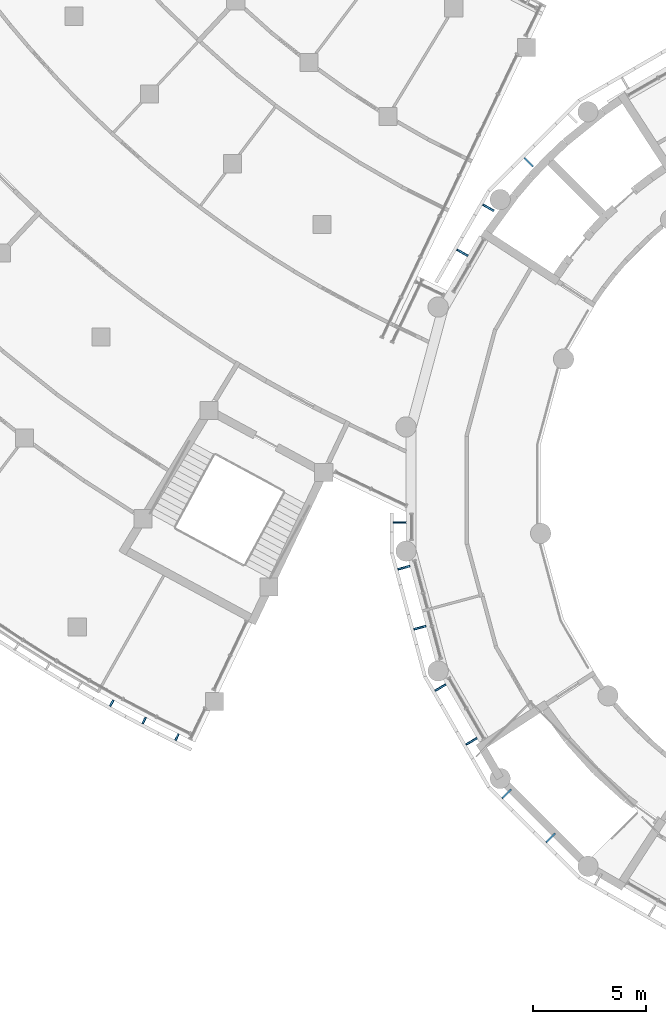
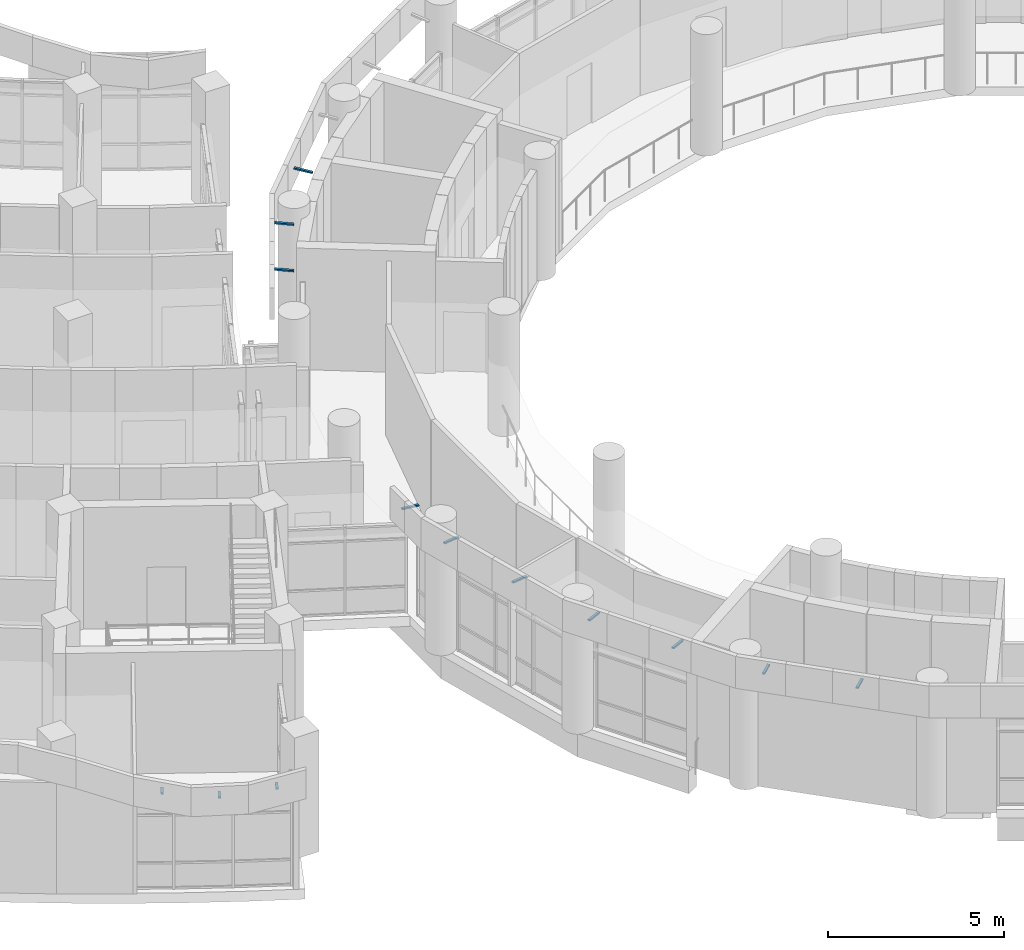
# One storey, part 82 of 109: 13 discrete accessories.
"""IFC4 building model written with IfcOpenShell, lengths in metres."""

import ifcopenshell
import ifcopenshell.guid

model = None  # the IFC model being written
_history = None  # IfcOwnerHistory: only IFC2X3 demands one
_inside = {}  # id of a spatial element -> (the spatial element, [elements in it])
_under = {}  # id of a project, library or spatial element -> (it, [spatial elements below it])
_declared = {}  # id of a project -> (the project, [libraries it declares])
_typed = {}  # id of a type object -> (the type object, [elements of that type])
_made_of = {}  # id of a material, layer set ... -> (it, [elements and type objects made of it])


def new_model(schema):
    """Start an empty IFC model of exactly this schema.

    Asked for "IFC4X3", IfcOpenShell would pick the latest addendum, in which some entities
    have other attributes; the version numbers below select the first issue.
    IFC2X3 requires an IfcOwnerHistory on every rooted entity: one is made here for all.
    """
    global model, _history
    if schema == "IFC4X3":
        model = ifcopenshell.file(schema_version=(4, 3, 0, 0))
    else:
        model = ifcopenshell.file(schema=schema)
    _inside.clear()
    _under.clear()
    _declared.clear()
    _typed.clear()
    _made_of.clear()
    _history = None
    if model.schema == "IFC2X3":
        org = make("IfcOrganization", Name="unknown")
        user = make(
            "IfcPersonAndOrganization",
            ThePerson=make("IfcPerson", FamilyName="unknown"),
            TheOrganization=org,
        )
        app = make(
            "IfcApplication",
            ApplicationDeveloper=org,
            Version="unknown",
            ApplicationFullName="unknown",
            ApplicationIdentifier="unknown",
        )
        _history = make(
            "IfcOwnerHistory",
            OwningUser=user,
            OwningApplication=app,
            ChangeAction="ADDED",
            CreationDate=0,
        )
    return model


def make(cls, **values):
    """One entity of the class cls with the attributes given. An attribute that is None is left unset."""
    return model.create_entity(
        cls, **{name: value for name, value in values.items() if value is not None}
    )


def rooted(cls, **values):
    """An entity with a GlobalId (a new one), such as an element, a storey or a relation."""
    return make(cls, GlobalId=ifcopenshell.guid.new(), OwnerHistory=_history, **values)


def si_unit(unit_type, name, prefix=None):
    """IfcSIUnit, for example si_unit("LENGTHUNIT", "METRE", prefix="MILLI")."""
    return make("IfcSIUnit", UnitType=unit_type, Prefix=prefix, Name=name)


def assignment(units):
    """IfcUnitAssignment: the units of a project."""
    return None if units is None else make("IfcUnitAssignment", Units=units)


def point(xyz):
    """IfcCartesianPoint."""
    return None if xyz is None else make("IfcCartesianPoint", Coordinates=xyz)


def direction(xyz):
    """IfcDirection."""
    return None if xyz is None else make("IfcDirection", DirectionRatios=xyz)


def frame(location, z_axis=None, x_axis=None):
    """IfcAxis2Placement3D, a coordinate frame: its origin and axes. An axis left out is left unset."""
    return make(
        "IfcAxis2Placement3D",
        Location=point(location),
        Axis=direction(z_axis),
        RefDirection=direction(x_axis),
    )


def frame_2d(location, x_axis=None):
    """IfcAxis2Placement2D, a coordinate frame in the plane: its origin and x axis."""
    return make(
        "IfcAxis2Placement2D", Location=point(location), RefDirection=direction(x_axis)
    )


def origin():
    """The frame at (0, 0, 0) with its axes left unset."""
    return frame((0.0, 0.0, 0.0))


def origin_2d():
    """The frame at (0, 0) in the plane with its x axis left unset."""
    return frame_2d((0.0, 0.0))


def place(relative_to, where):
    """IfcLocalPlacement: puts the frame where relative to a parent placement (None: the world)."""
    return make(
        "IfcLocalPlacement", PlacementRelTo=relative_to, RelativePlacement=where
    )


def context(
    kind, dimensions, precision=None, world=None, true_north=None, identifier=None
):
    """IfcGeometricRepresentationContext, for example the 3D "Model" context."""
    return make(
        "IfcGeometricRepresentationContext",
        ContextIdentifier=identifier,
        ContextType=kind,
        CoordinateSpaceDimension=dimensions,
        Precision=precision,
        WorldCoordinateSystem=world,
        TrueNorth=true_north,
    )


def subcontext(parent, identifier, kind, view, scale=None):
    """IfcGeometricRepresentationSubContext, for example "Body" below "Model"."""
    return make(
        "IfcGeometricRepresentationSubContext",
        ContextIdentifier=identifier,
        ContextType=kind,
        ParentContext=parent,
        TargetScale=scale,
        TargetView=view,
    )


def project(units=None, contexts=None):
    """IfcProject with its units and contexts."""
    return rooted(
        "IfcProject",
        Name="project",
        RepresentationContexts=contexts,
        UnitsInContext=assignment(units),
    )


def spatial(cls, under=None, at=None, **own):
    """A site, building, storey or space (cls), placed at a placement, below another one or the project."""
    s = rooted(cls, ObjectPlacement=at, **own)
    if under is not None:
        _under.setdefault(under.id(), (under, []))[1].append(s)
    return s


def profile(cls, at=None, kind="AREA", **sizes):
    """A parametric profile (cls). Its sizes go by their IFC names, for example OverallWidth=200.0."""
    return make(cls, ProfileType=kind, Position=at, **sizes)


def rectangle(**sizes):
    """IfcRectangleProfileDef."""
    return profile("IfcRectangleProfileDef", **sizes)


def extrude(swept, where, along, depth):
    """IfcExtrudedAreaSolid: the profile swept, set in the frame where, extruded along a direction by depth."""
    return make(
        "IfcExtrudedAreaSolid",
        SweptArea=swept,
        Position=where,
        ExtrudedDirection=direction(along),
        Depth=depth,
    )


def shape(context_of_items, identifier, shape_type, items):
    """IfcShapeRepresentation: the items that make up one representation, for example the "Body"."""
    return make(
        "IfcShapeRepresentation",
        ContextOfItems=context_of_items,
        RepresentationIdentifier=identifier,
        RepresentationType=shape_type,
        Items=items,
    )


def material(Name=None, Category=None):
    """IfcMaterial."""
    return make("IfcMaterial", Name=Name, Category=Category)


def material_profile(
    of_material, cross_section, Name=None, Category=None, Priority=None
):
    """IfcMaterialProfile: a cross section and its material."""
    return make(
        "IfcMaterialProfile",
        Name=Name,
        Material=of_material,
        Profile=cross_section,
        Priority=Priority,
        Category=Category,
    )


def profile_set(profiles, Name=None, composite=None):
    """IfcMaterialProfileSet."""
    return make(
        "IfcMaterialProfileSet",
        Name=Name,
        MaterialProfiles=profiles,
        CompositeProfile=composite,
    )


def made_of(thing, what):
    """Note that an element or type object is made of a material, layer set ...; save() writes the relation."""
    if what is not None:
        _made_of.setdefault(what.id(), (what, []))[1].append(thing)
    return thing


def type_object(cls, material=None, **own):
    """A type object (cls), such as IfcWallType, which elements share."""
    return made_of(rooted(cls, **own), material)


def element(
    cls,
    number,
    at=None,
    inside=None,
    cuts=None,
    type_object=None,
    material=None,
    context=None,
    identifier="Body",
    shape_type=None,
    held_by="IfcProductDefinitionShape",
    body=None,
    shapes=None,
    **own,
):
    """One element of the class cls, such as IfcWall. Its Tag is "e" and its number.

    at: its placement. inside: the storey or other place that contains it. cuts: it is an
    opening in that element (IfcRelVoidsElement). A single representation is given by context,
    identifier, shape_type and body (its items); several are given by shapes. held_by: the class
    of the entity that holds the representations. save() writes the other relations.
    """
    e = rooted(cls, Tag="e%d" % number, ObjectPlacement=at, **own)
    if body is not None:
        shapes = [shape(context, identifier, shape_type, body)]
    if shapes is not None:
        e.Representation = make(held_by, Representations=shapes)
    if inside is not None:
        _inside.setdefault(inside.id(), (inside, []))[1].append(e)
    if cuts is not None:
        rooted(
            "IfcRelVoidsElement", RelatingBuildingElement=cuts, RelatedOpeningElement=e
        )
    if type_object is not None:
        _typed.setdefault(type_object.id(), (type_object, []))[1].append(e)
    return made_of(e, material)


def aggregate(whole, parts):
    """IfcRelAggregates: a whole, such as a stair, and the parts it consists of."""
    return rooted("IfcRelAggregates", RelatingObject=whole, RelatedObjects=parts)


def save(model, path):
    """Write the relations noted so far, then the file.

    IfcRelAggregates (storeys below a building ...), IfcRelContainedInSpatialStructure (elements
    in a storey), IfcRelDefinesByType, IfcRelAssociatesMaterial and IfcRelDeclares: one each for
    every whole, place, type object, material and project.
    """
    for whole, parts in _under.values():
        aggregate(whole, parts)
    for where, things in _inside.values():
        rooted(
            "IfcRelContainedInSpatialStructure",
            RelatedElements=things,
            RelatingStructure=where,
        )
    for kind, things in _typed.values():
        rooted("IfcRelDefinesByType", RelatedObjects=things, RelatingType=kind)
    for what, things in _made_of.values():
        rooted("IfcRelAssociatesMaterial", RelatedObjects=things, RelatingMaterial=what)
    for by, libraries in _declared.values():
        rooted("IfcRelDeclares", RelatingContext=by, RelatedDefinitions=libraries)
    model.write(path)


model = new_model("IFC4")

# Units and contexts
model_context = context("Model", 3, precision=1e-05, world=origin(), true_north=direction((0.0, 1.0)))
body_context = subcontext(model_context, "Body", "Model", "MODEL_VIEW")
ifc_project = project(units=[si_unit("LENGTHUNIT", "METRE"), si_unit("AREAUNIT", "SQUARE_METRE"), si_unit("VOLUMEUNIT", "CUBIC_METRE"), si_unit("PLANEANGLEUNIT", "RADIAN"), si_unit("MASSUNIT", "GRAM", prefix="KILO")], contexts=[model_context])

# Site, building, storey
site_placement = place(None, origin())
site = spatial("IfcSite", under=ifc_project, at=site_placement, CompositionType="ELEMENT")
building_placement = place(site_placement, origin())
building = spatial("IfcBuilding", under=site, at=building_placement, Name="Bougainvillea Quay General Hospital", CompositionType="ELEMENT")
storey_placement = place(building_placement, frame((0.0, 0.0, 12.60009765625)))
storey = spatial("IfcBuildingStorey", under=building, at=storey_placement, Name="L02", CompositionType="ELEMENT", Elevation=12.60009765625)

# Discrete accessories
ifc_material = material(Name="Stainless steel bracket, grade 316", Category="steel")
ifc_material_profile = material_profile(ifc_material, rectangle(XDim=0.080078125, YDim=0.050048828125, at=origin_2d()))
ifc_profile_set = profile_set([ifc_material_profile], Name="Stainless steel bracket, grade 316")
discrete_accessory_type = type_object("IfcDiscreteAccessoryType", Name="Stainless steel stand-off bracket 80x50", PredefinedType="BRACKET", material=ifc_profile_set)
discrete_accessory_1_placement = place(storey_placement, frame((75.456298828125, 64.67529296875, 3.635009765625), z_axis=(-0.482043775673, -0.876147132812, 0.0), x_axis=(0.876147132812, -0.482043775673, 0.0)))
element("IfcDiscreteAccessory", 1, at=discrete_accessory_1_placement, inside=storey, type_object=discrete_accessory_type, Name="Fascia bracket a01 33", PredefinedType="BRACKET", context=body_context, shape_type="SweptSolid", body=[
    extrude(rectangle(XDim=0.080078125, YDim=0.050048828125, at=origin_2d()), origin(), (0.0, 0.0, 1.0), 0.2998046875),
])
for number, where, z_axis, x_axis, name in (
    (2, (76.887451171875, 63.909423828125, 3.46142578125), (-0.462121071218, -0.886816844414, 0.0), (0.886816844414, -0.462121071218, 0.0), "Fascia bracket a01 34"),
    (3, (78.335693359375, 63.177001953125, 3.710693359375), (-0.441018877805, -0.897497826972, 0.0), (0.897497826972, -0.441018877805, 0.0), "Fascia bracket a01 35"),
):
    element("IfcDiscreteAccessory", number, at=place(storey_placement, frame(where, z_axis=z_axis, x_axis=x_axis)), inside=storey, type_object=discrete_accessory_type, Name=name, PredefinedType="BRACKET", context=body_context, shape_type="SweptSolid", body=[
        extrude(rectangle(XDim=0.080078125, YDim=0.050048828125, at=origin_2d()), origin(), (0.0, 0.0, 1.0), 0.300048828125),
    ])
discrete_accessory_2_placement = place(storey_placement, frame((88.3798828125, 72.519775390625, 4.139892578125), z_axis=(-0.994086591779, 0.0, 0.108590276011), x_axis=(0.0, -1.0, 0.0)))
element("IfcDiscreteAccessory", 4, at=discrete_accessory_2_placement, inside=storey, type_object=discrete_accessory_type, Name="Fascia bracket e0 1", PredefinedType="BRACKET", context=body_context, shape_type="SweptSolid", body=[
    extrude(rectangle(XDim=0.080078125, YDim=0.050048828125, at=origin_2d()), origin(), (0.0, 0.0, 1.0), 0.552978515625),
])
for number, where, z_axis, x_axis, name in (
    (5, (88.557373046875, 70.59716796875, 4.139892578125), (-0.96022399879, -0.257265896735, 0.108554735157), (0.258795254151, -0.965932200741, 0.0), "Fascia bracket e0 3"),
    (6, (89.266845703125, 67.94970703125, 4.139892578125), (-0.96022399879, -0.257265896735, 0.108554735157), (0.258795254151, -0.965932200741, 0.0), "Fascia bracket e0 5"),
):
    element("IfcDiscreteAccessory", number, at=place(storey_placement, frame(where, z_axis=z_axis, x_axis=x_axis)), inside=storey, type_object=discrete_accessory_type, Name=name, PredefinedType="BRACKET", context=body_context, shape_type="SweptSolid", body=[
        extrude(rectangle(XDim=0.080078125, YDim=0.050048828125, at=origin_2d()), origin(), (0.0, 0.0, 1.0), 0.55322265625),
    ])
for number, where, z_axis, x_axis, name in (
    (7, (90.1416015625, 65.37060546875, 4.139892578125), (-0.860796598273, -0.497241294851, 0.108537141556), (0.500196256984, -0.865912065108, 0.0), "Fascia bracket e0 7"),
    (8, (91.51220703125, 62.99658203125, 4.139892578125), (-0.860796598273, -0.497241294851, 0.108537141556), (0.500196256984, -0.865912065108, 0.0), "Fascia bracket e0 9"),
):
    element("IfcDiscreteAccessory", number, at=place(storey_placement, frame(where, z_axis=z_axis, x_axis=x_axis)), inside=storey, type_object=discrete_accessory_type, Name=name, PredefinedType="BRACKET", context=body_context, shape_type="SweptSolid", body=[
        extrude(rectangle(XDim=0.080078125, YDim=0.050048828125, at=origin_2d()), origin(), (0.0, 0.0, 1.0), 0.553466796875),
    ])
for number, where, z_axis, x_axis, name in (
    (9, (93.0244140625, 60.7314453125, 4.139892578125), (-0.702928468265, -0.702928468265, 0.108550158941), (0.707106781187, -0.707106781187, 0.0), "Fascia bracket e0 11"),
    (10, (94.96240234375, 58.79345703125, 4.139892578125), (-0.702928468265, -0.702928468265, 0.108550158941), (0.707106781187, -0.707106781187, 0.0), "Fascia bracket e0 13"),
    (11, (93.993408203125, 88.237548828125, 4.139892578125), (-0.702928468265, 0.702928468265, 0.108550158941), (-0.707106781187, -0.707106781187, 0.0), "Fascia bracket e1 37"),
    (12, (92.25341796875, 86.28759765625, 4.139892578125), (-0.860985424, 0.496909065825, 0.108560950438), (-0.499863360881, -0.866104278045, 0.0), "Fascia bracket e1 39"),
    (13, (91.10693359375, 84.301513671875, 4.139892578125), (-0.860985424, 0.496909065825, 0.108560950438), (-0.499863360881, -0.866104278045, 0.0), "Fascia bracket e1 41"),
):
    element("IfcDiscreteAccessory", number, at=place(storey_placement, frame(where, z_axis=z_axis, x_axis=x_axis)), inside=storey, type_object=discrete_accessory_type, Name=name, PredefinedType="BRACKET", context=body_context, shape_type="SweptSolid", body=[
        extrude(rectangle(XDim=0.080078125, YDim=0.050048828125, at=origin_2d()), origin(), (0.0, 0.0, 1.0), 0.55322265625),
    ])

save(model, "model.ifc")
